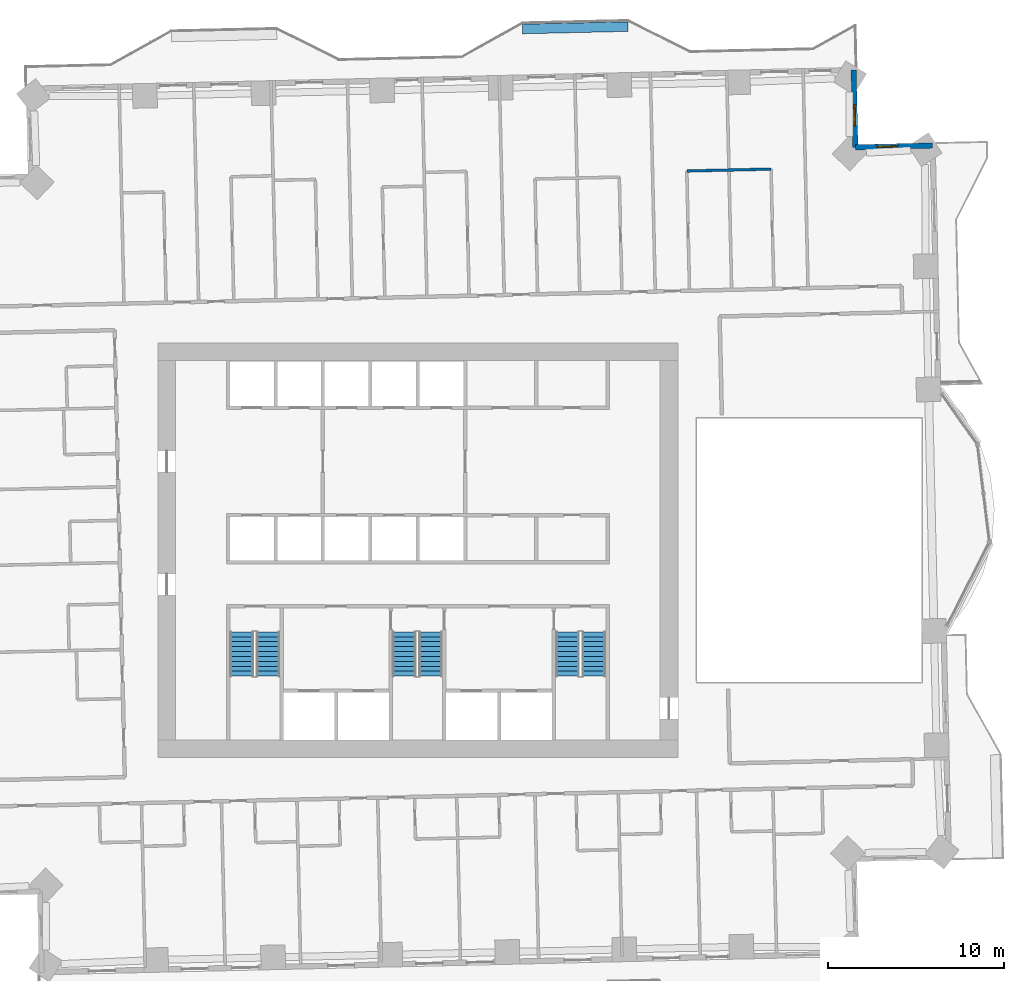
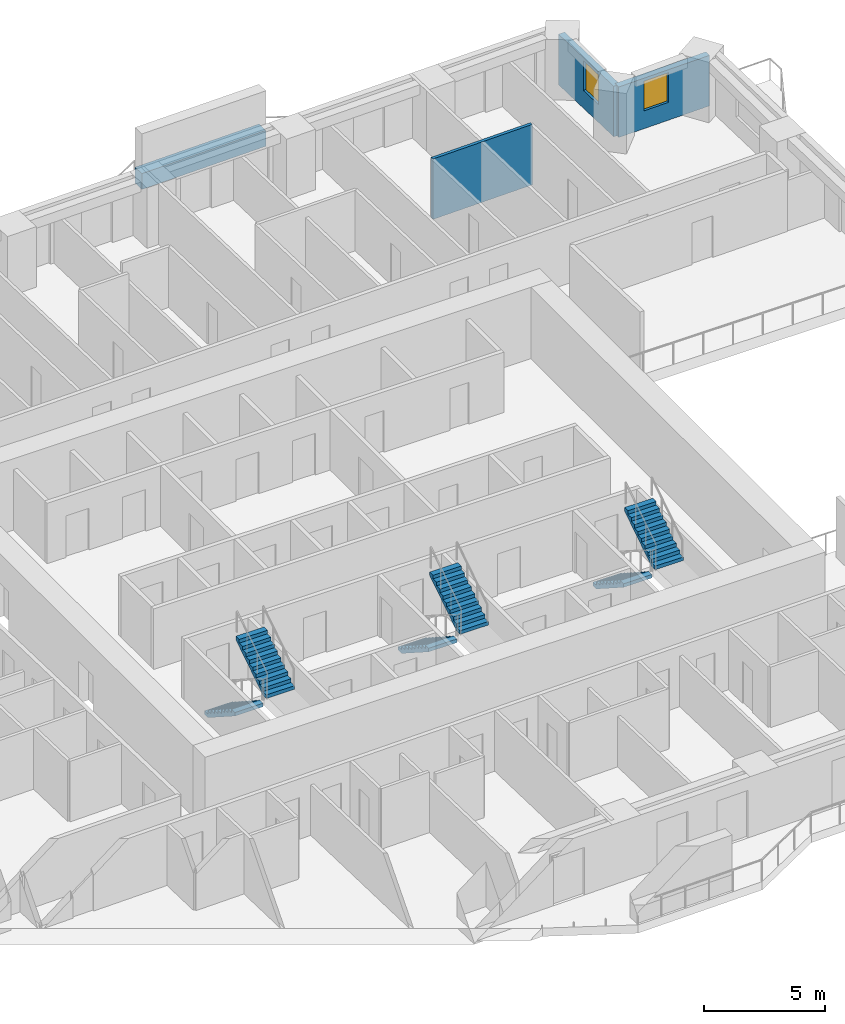
# One storey, part 13 of 17: 6 stair flights, 4 walls, 2 windows, 2 openings, 3 elements without a shape of their own.
"""IFC4 building model written with IfcOpenShell, lengths in metres."""

from ifc_helpers import new_model, si_unit, direction, frame, frame_2d, origin, place, context, subcontext, project, spatial, polyline, rectangle, outline, extrude, material, layer, layer_set, type_object, element, fill, aggregate, save


model = new_model("IFC4")

# Units and contexts
model_context = context("Model", 3, precision=1e-05, world=origin(), true_north=direction((0.0, 1.0)))
body_context = subcontext(model_context, "Body", "Model", "MODEL_VIEW")
ifc_project = project(units=[si_unit("LENGTHUNIT", "METRE"), si_unit("AREAUNIT", "SQUARE_METRE"), si_unit("VOLUMEUNIT", "CUBIC_METRE"), si_unit("PLANEANGLEUNIT", "RADIAN"), si_unit("MASSUNIT", "GRAM", prefix="KILO")], contexts=[model_context])

# Site, building, storey
site_placement = place(None, origin())
site = spatial("IfcSite", under=ifc_project, at=site_placement, CompositionType="ELEMENT")
building_placement = place(site_placement, origin())
building = spatial("IfcBuilding", under=site, at=building_placement, Name="Mangrove Gate Tower", CompositionType="ELEMENT")
storey_placement = place(building_placement, frame((0.0, 0.0, 90.10009765625)))
storey = spatial("IfcBuildingStorey", under=building, at=storey_placement, Name="L22", CompositionType="ELEMENT", Elevation=90.10009765625)

# Wall, opening, window
ifc_material_1 = material(Name="Limestone", Category="masonry")
ifc_layer_1 = layer(ifc_material_1, 0.0400390625, Name="Limestone cladding")
ifc_material_2 = material(Name="Ventilated air gap")
ifc_layer_2 = layer(ifc_material_2, 0.0400390625, Name="Ventilated cavity")
ifc_material_3 = material(Name="Mineral wool insulation")
ifc_layer_3 = layer(ifc_material_3, 0.06005859375, Name="Insulation")
ifc_material_4 = material(Name="Breather membrane")
ifc_layer_4 = layer(ifc_material_4, 0.001953125, Name="Breather membrane")
ifc_material_5 = material(Name="Concrete C20/25 blockwork", Category="masonry")
ifc_layer_5 = layer(ifc_material_5, 0.14990234375, Name="Blockwork backing wall")
ifc_material_6 = material(Name="Gypsum plaster")
ifc_layer_6 = layer(ifc_material_6, 0.008056640625, Name="Internal plaster")
ifc_layer_set_1 = layer_set([ifc_layer_1, ifc_layer_2, ifc_layer_3, ifc_layer_4, ifc_layer_5, ifc_layer_6], Name="External wall 300 limestone cladding")
wall_type_1 = type_object("IfcWallType", Name="External wall 300 limestone cladding", PredefinedType="SOLIDWALL", material=ifc_layer_set_1)
wall_1_placement = place(storey_placement, frame((29.30810546875, 23.033935546875, 0.0), z_axis=(0.0, 0.0, 1.0), x_axis=(-0.999742493928, -0.022692418004, 0.0)))
wall_1 = element("IfcWall", 1, at=wall_1_placement, inside=storey, type_object=wall_type_1, Name="WALL-L22-N3", PredefinedType="SOLIDWALL", context=body_context, shape_type="SweptSolid", body=[
    extrude(rectangle(XDim=4.400390625, YDim=0.300048828125, at=frame_2d((2.2001953125, 0.0))), origin(), (0.0, 0.0, 1.0), 2.5498046875),
])
opening_1_placement = place(wall_1_placement, frame((1.98095703125, 0.0, 0.89990234375)))
opening_1 = element("IfcOpeningElement", 2, at=opening_1_placement, cuts=wall_1, Name="Opening W1", PredefinedType="OPENING", context=body_context, shape_type="SweptSolid", body=[
    extrude(rectangle(XDim=1.199951171875, YDim=1.5, at=frame_2d((0.60009765625, 0.75))), frame((0.0, 0.159912109375, 0.0), z_axis=(0.0, -1.0, 0.0), x_axis=(1.0, 0.0, 0.0)), (0.0, 0.0, 1.0), 0.320068359375),
])
ifc_material_7 = material(Name="Aluminium frame with double-glazed low-e glass", Category="aluminium")
window_type = type_object("IfcWindowType", Name="Side lite 1200x1500", PartitioningType="SINGLE_PANEL", PredefinedType="WINDOW", material=ifc_material_7)
window_1_placement = place(opening_1_placement, origin())
window_1 = element("IfcWindow", 3, at=window_1_placement, inside=storey, type_object=window_type, Name="WIN-L22-N3-1", OverallHeight=1.5, OverallWidth=1.199951171875, PartitioningType="SINGLE_PANEL", PredefinedType="WINDOW", context=body_context, shape_type="SweptSolid", body=[
    extrude(rectangle(XDim=1.199951171875, YDim=1.5, at=frame_2d((0.60009765625, 0.75))), frame((0.0, 0.030029296875, 0.0), z_axis=(0.0, -1.0, 0.0), x_axis=(1.0, 0.0, 0.0)), (0.0, 0.0, 1.0), 0.06005859375),
])
fill(opening_1, window_1)

wall_2_placement = place(storey_placement, frame((24.908935546875, 22.93408203125, 0.0), z_axis=(0.0, 0.0, 1.0), x_axis=(-0.022693676786, 0.999742465355, 0.0)))
wall_2 = element("IfcWall", 4, at=wall_2_placement, inside=storey, type_object=wall_type_1, Name="WALL-L22-E4", PredefinedType="SOLIDWALL", context=body_context, shape_type="SweptSolid", body=[
    extrude(rectangle(XDim=4.400146484375, YDim=0.300048828125, at=frame_2d((2.2001953125, 0.0))), origin(), (0.0, 0.0, 1.0), 2.5498046875),
])
opening_2_placement = place(wall_2_placement, frame((1.219970703125, 0.0, 0.89990234375)))
opening_2 = element("IfcOpeningElement", 5, at=opening_2_placement, cuts=wall_2, Name="Opening W1", PredefinedType="OPENING", context=body_context, shape_type="SweptSolid", body=[
    extrude(rectangle(XDim=1.199951171875, YDim=1.5, at=frame_2d((0.60009765625, 0.75))), frame((0.0, 0.159912109375, 0.0), z_axis=(0.0, -1.0, 0.0), x_axis=(1.0, 0.0, 0.0)), (0.0, 0.0, 1.0), 0.320068359375),
])
window_2_placement = place(opening_2_placement, origin())
window_2 = element("IfcWindow", 6, at=window_2_placement, inside=storey, type_object=window_type, Name="WIN-L22-E4-1", OverallHeight=1.5, OverallWidth=1.199951171875, PartitioningType="SINGLE_PANEL", PredefinedType="WINDOW", context=body_context, shape_type="SweptSolid", body=[
    extrude(rectangle(XDim=1.199951171875, YDim=1.5, at=frame_2d((0.60009765625, 0.75))), frame((0.0, 0.030029296875, 0.0), z_axis=(0.0, -1.0, 0.0), x_axis=(1.0, 0.0, 0.0)), (0.0, 0.0, 1.0), 0.06005859375),
])
fill(opening_2, window_2)

# Walls
ifc_material_8 = material(Name="Gypsum board on steel stud, EI 60", Category="steel")
ifc_layer_7 = layer(ifc_material_8, 0.14990234375)
ifc_layer_set_2 = layer_set([ifc_layer_7], Name="Party wall 150 EI 60")
wall_type_2 = type_object("IfcWallType", Name="Party wall 150 EI 60", PredefinedType="PARTITIONING", material=ifc_layer_set_2)
wall_3_placement = place(storey_placement, frame((15.31494140625, 21.5859375, 0.0), z_axis=(0.0, 0.0, 1.0), x_axis=(0.99974154664, 0.022734113616, 0.0)))
element("IfcWall", 7, at=wall_3_placement, inside=storey, type_object=wall_type_2, Name="WALL-L22-083", PredefinedType="PARTITIONING", context=body_context, shape_type="SweptSolid", body=[
    extrude(rectangle(XDim=4.80029296875, YDim=0.14990234375, at=frame_2d((2.400146484375, 0.0))), origin(), (0.0, 0.0, 1.0), 3.0498046875),
])
ifc_material_9 = material(Name="Concrete C32/40", Category="concrete")
ifc_layer_8 = layer(ifc_material_9, 0.199951171875, Name="Planter trough wall")
ifc_material_10 = material(Name="Bituminous waterproofing membrane")
ifc_layer_9 = layer(ifc_material_10, 0.0048828125, Name="Waterproofing")
ifc_material_11 = material(Name="Drainage board and gravel")
ifc_layer_10 = layer(ifc_material_11, 0.044921875, Name="Drainage layer")
ifc_material_12 = material(Name="Planting soil")
ifc_layer_11 = layer(ifc_material_12, 0.300048828125, Name="Growing medium")
ifc_layer_set_3 = layer_set([ifc_layer_8, ifc_layer_9, ifc_layer_10, ifc_layer_11], Name="Planter wall 550 C32/40")
wall_type_3 = type_object("IfcWallType", Name="Planter wall 550 C32/40", PredefinedType="USERDEFINED", material=ifc_layer_set_3)
wall_4_placement = place(storey_placement, frame((5.965087890625, 29.6708984375, 0.0), z_axis=(0.0, 0.0, 1.0), x_axis=(0.999743178102, 0.022662255828, 0.0)))
element("IfcWall", 8, at=wall_4_placement, inside=storey, type_object=wall_type_3, Name="PLANTER L22 N0.1", ObjectType="PLANTER", PredefinedType="USERDEFINED", context=body_context, shape_type="SweptSolid", body=[
    extrude(rectangle(XDim=6.00048828125, YDim=0.550048828125, at=frame_2d((3.000244140625, 0.0))), origin(), (0.0, 0.0, 1.0), 0.7998046875),
])

# Stair, stair flights
ifc_material_13 = material(Name="Concrete C40/50", Category="concrete")
stair_type = type_object("IfcStairType", Name="Core stair 1350", PredefinedType="HALF_TURN_STAIR", material=ifc_material_13)
stair_1_placement = place(storey_placement, origin())
stair_1 = element("IfcStair", 9, at=stair_1_placement, inside=storey, type_object=stair_type, Name="L22 Stair 1", PredefinedType="HALF_TURN_STAIR")
ifc_material_14 = material(Name="Concrete C40/50", Category="concrete")
stair_flight_type = type_object("IfcStairFlightType", Name="Core stair flight 1350", PredefinedType="STRAIGHT", material=ifc_material_14)
stair_flight_1_placement = place(storey_placement, frame((-10.02490234375, -4.64990234375, 0.0), z_axis=(0.0, 0.0, 1.0), x_axis=(0.0, -1.0, 0.0)))
stair_flight_1 = element("IfcStairFlight", 10, at=stair_flight_1_placement, type_object=stair_flight_type, Name="ST1 flight 1", NumberOfRisers=10, NumberOfTreads=9, PredefinedType="STRAIGHT", RiserHeight=0.18, TreadLength=0.28, context=body_context, shape_type="SweptSolid", body=[
    extrude(outline(polyline([(0.0, 0.0), (0.0, 0.179931640625), (0.280029296875, 0.179931640625), (0.280029296875, 0.360107421875), (0.56005859375, 0.360107421875), (0.56005859375, 0.5400390625), (0.840087890625, 0.5400390625), (0.840087890625, 0.719970703125), (1.1201171875, 0.719970703125), (1.1201171875, 0.89990234375), (1.39990234375, 0.89990234375), (1.39990234375, 1.080078125), (1.679931640625, 1.080078125), (1.679931640625, 1.260009765625), (1.9599609375, 1.260009765625), (1.9599609375, 1.43994140625), (2.239990234375, 1.43994140625), (2.239990234375, 1.6201171875), (2.52001953125, 1.6201171875), (2.52001953125, 1.800048828125), (2.52001953125, 1.44189453125), (0.277099609375, 0.0), (0.0, 0.0)])), frame((0.0, 0.675048828125, 0.0), z_axis=(0.0, -1.0, 0.0), x_axis=(1.0, 0.0, 0.0)), (0.0, 0.0, 1.0), 1.35009765625),
])
stair_flight_2_placement = place(storey_placement, frame((-8.52490234375, -7.169921875, 1.7998046875), z_axis=(0.0, 0.0, 1.0), x_axis=(0.0, 1.0, 0.0)))
stair_flight_2 = element("IfcStairFlight", 11, at=stair_flight_2_placement, type_object=stair_flight_type, Name="ST1 flight 2", NumberOfRisers=10, NumberOfTreads=9, PredefinedType="STRAIGHT", RiserHeight=0.18, TreadLength=0.28, context=body_context, shape_type="SweptSolid", body=[
    extrude(outline(polyline([(0.0, 0.0), (0.0, 0.179931640625), (0.280029296875, 0.179931640625), (0.280029296875, 0.360107421875), (0.56005859375, 0.360107421875), (0.56005859375, 0.5400390625), (0.840087890625, 0.5400390625), (0.840087890625, 0.719970703125), (1.1201171875, 0.719970703125), (1.1201171875, 0.89990234375), (1.39990234375, 0.89990234375), (1.39990234375, 1.080078125), (1.679931640625, 1.080078125), (1.679931640625, 1.260009765625), (1.9599609375, 1.260009765625), (1.9599609375, 1.43994140625), (2.239990234375, 1.43994140625), (2.239990234375, 1.6201171875), (2.52001953125, 1.6201171875), (2.52001953125, 1.800048828125), (2.52001953125, 1.44189453125), (0.277099609375, 0.0), (0.0, 0.0)])), frame((0.0, 0.675048828125, 0.0), z_axis=(0.0, -1.0, 0.0), x_axis=(1.0, 0.0, 0.0)), (0.0, 0.0, 1.0), 1.35009765625),
])
aggregate(stair_1, [stair_flight_1, stair_flight_2])

stair_2_placement = place(storey_placement, origin())
stair_2 = element("IfcStair", 12, at=stair_2_placement, inside=storey, type_object=stair_type, Name="L22 Stair 2", PredefinedType="HALF_TURN_STAIR")
stair_flight_3_placement = place(storey_placement, frame((-0.77490234375, -4.64990234375, 0.0), z_axis=(0.0, 0.0, 1.0), x_axis=(0.0, -1.0, 0.0)))
stair_flight_3 = element("IfcStairFlight", 13, at=stair_flight_3_placement, type_object=stair_flight_type, Name="ST2 flight 1", NumberOfRisers=10, NumberOfTreads=9, PredefinedType="STRAIGHT", RiserHeight=0.18, TreadLength=0.28, context=body_context, shape_type="SweptSolid", body=[
    extrude(outline(polyline([(0.0, 0.0), (0.0, 0.179931640625), (0.280029296875, 0.179931640625), (0.280029296875, 0.360107421875), (0.56005859375, 0.360107421875), (0.56005859375, 0.5400390625), (0.840087890625, 0.5400390625), (0.840087890625, 0.719970703125), (1.1201171875, 0.719970703125), (1.1201171875, 0.89990234375), (1.39990234375, 0.89990234375), (1.39990234375, 1.080078125), (1.679931640625, 1.080078125), (1.679931640625, 1.260009765625), (1.9599609375, 1.260009765625), (1.9599609375, 1.43994140625), (2.239990234375, 1.43994140625), (2.239990234375, 1.6201171875), (2.52001953125, 1.6201171875), (2.52001953125, 1.800048828125), (2.52001953125, 1.44189453125), (0.277099609375, 0.0), (0.0, 0.0)])), frame((0.0, 0.675048828125, 0.0), z_axis=(0.0, -1.0, 0.0), x_axis=(1.0, 0.0, 0.0)), (0.0, 0.0, 1.0), 1.35009765625),
])
stair_flight_4_placement = place(storey_placement, frame((0.72509765625, -7.169921875, 1.7998046875), z_axis=(0.0, 0.0, 1.0), x_axis=(0.0, 1.0, 0.0)))
stair_flight_4 = element("IfcStairFlight", 14, at=stair_flight_4_placement, type_object=stair_flight_type, Name="ST2 flight 2", NumberOfRisers=10, NumberOfTreads=9, PredefinedType="STRAIGHT", RiserHeight=0.18, TreadLength=0.28, context=body_context, shape_type="SweptSolid", body=[
    extrude(outline(polyline([(0.0, 0.0), (0.0, 0.179931640625), (0.280029296875, 0.179931640625), (0.280029296875, 0.360107421875), (0.56005859375, 0.360107421875), (0.56005859375, 0.5400390625), (0.840087890625, 0.5400390625), (0.840087890625, 0.719970703125), (1.1201171875, 0.719970703125), (1.1201171875, 0.89990234375), (1.39990234375, 0.89990234375), (1.39990234375, 1.080078125), (1.679931640625, 1.080078125), (1.679931640625, 1.260009765625), (1.9599609375, 1.260009765625), (1.9599609375, 1.43994140625), (2.239990234375, 1.43994140625), (2.239990234375, 1.6201171875), (2.52001953125, 1.6201171875), (2.52001953125, 1.800048828125), (2.52001953125, 1.44189453125), (0.277099609375, 0.0), (0.0, 0.0)])), frame((0.0, 0.675048828125, 0.0), z_axis=(0.0, -1.0, 0.0), x_axis=(1.0, 0.0, 0.0)), (0.0, 0.0, 1.0), 1.35009765625),
])
aggregate(stair_2, [stair_flight_3, stair_flight_4])

stair_3_placement = place(storey_placement, origin())
stair_3 = element("IfcStair", 15, at=stair_3_placement, inside=storey, type_object=stair_type, Name="L22 Stair 3", PredefinedType="HALF_TURN_STAIR")
stair_flight_5_placement = place(storey_placement, frame((8.52490234375, -4.64990234375, 0.0), z_axis=(0.0, 0.0, 1.0), x_axis=(0.0, -1.0, 0.0)))
stair_flight_5 = element("IfcStairFlight", 16, at=stair_flight_5_placement, type_object=stair_flight_type, Name="ST3 flight 1", NumberOfRisers=10, NumberOfTreads=9, PredefinedType="STRAIGHT", RiserHeight=0.18, TreadLength=0.28, context=body_context, shape_type="SweptSolid", body=[
    extrude(outline(polyline([(0.0, 0.0), (0.0, 0.179931640625), (0.280029296875, 0.179931640625), (0.280029296875, 0.360107421875), (0.56005859375, 0.360107421875), (0.56005859375, 0.5400390625), (0.840087890625, 0.5400390625), (0.840087890625, 0.719970703125), (1.1201171875, 0.719970703125), (1.1201171875, 0.89990234375), (1.39990234375, 0.89990234375), (1.39990234375, 1.080078125), (1.679931640625, 1.080078125), (1.679931640625, 1.260009765625), (1.9599609375, 1.260009765625), (1.9599609375, 1.43994140625), (2.239990234375, 1.43994140625), (2.239990234375, 1.6201171875), (2.52001953125, 1.6201171875), (2.52001953125, 1.800048828125), (2.52001953125, 1.44189453125), (0.277099609375, 0.0), (0.0, 0.0)])), frame((0.0, 0.675048828125, 0.0), z_axis=(0.0, -1.0, 0.0), x_axis=(1.0, 0.0, 0.0)), (0.0, 0.0, 1.0), 1.35009765625),
])
stair_flight_6_placement = place(storey_placement, frame((10.02490234375, -7.169921875, 1.7998046875), z_axis=(0.0, 0.0, 1.0), x_axis=(0.0, 1.0, 0.0)))
stair_flight_6 = element("IfcStairFlight", 17, at=stair_flight_6_placement, type_object=stair_flight_type, Name="ST3 flight 2", NumberOfRisers=10, NumberOfTreads=9, PredefinedType="STRAIGHT", RiserHeight=0.18, TreadLength=0.28, context=body_context, shape_type="SweptSolid", body=[
    extrude(outline(polyline([(0.0, 0.0), (0.0, 0.179931640625), (0.280029296875, 0.179931640625), (0.280029296875, 0.360107421875), (0.56005859375, 0.360107421875), (0.56005859375, 0.5400390625), (0.840087890625, 0.5400390625), (0.840087890625, 0.719970703125), (1.1201171875, 0.719970703125), (1.1201171875, 0.89990234375), (1.39990234375, 0.89990234375), (1.39990234375, 1.080078125), (1.679931640625, 1.080078125), (1.679931640625, 1.260009765625), (1.9599609375, 1.260009765625), (1.9599609375, 1.43994140625), (2.239990234375, 1.43994140625), (2.239990234375, 1.6201171875), (2.52001953125, 1.6201171875), (2.52001953125, 1.800048828125), (2.52001953125, 1.44189453125), (0.277099609375, 0.0), (0.0, 0.0)])), frame((0.0, 0.675048828125, 0.0), z_axis=(0.0, -1.0, 0.0), x_axis=(1.0, 0.0, 0.0)), (0.0, 0.0, 1.0), 1.35009765625),
])
aggregate(stair_3, [stair_flight_5, stair_flight_6])

save(model, "model.ifc")
